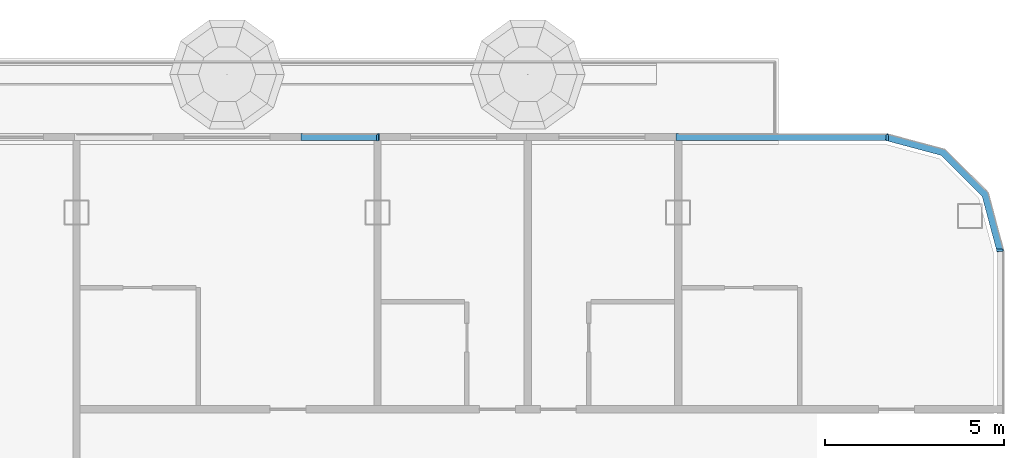
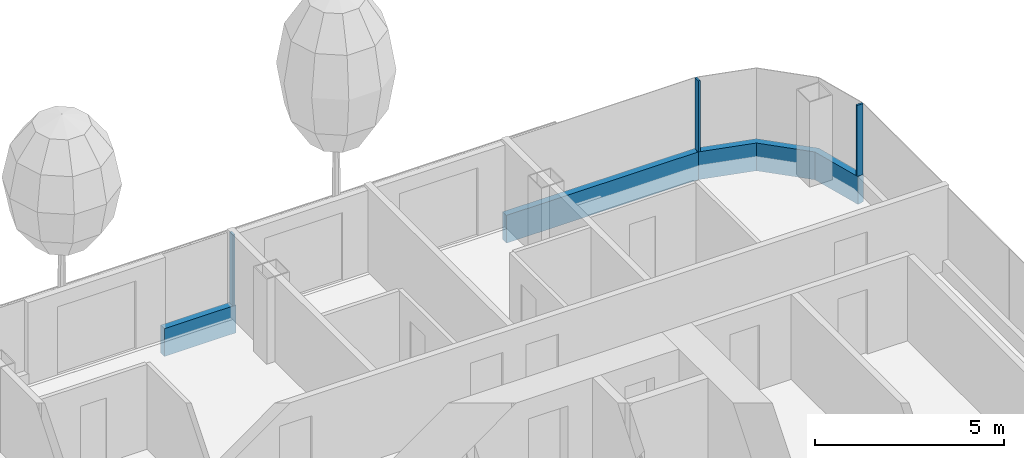
# One storey, part 8 of 30: 6 members, 3 elements without a shape of their own.
"""IFC4 building model written with IfcOpenShell, lengths in metres."""

import ifcopenshell
import ifcopenshell.guid

model = None  # the IFC model being written
_history = None  # IfcOwnerHistory: only IFC2X3 demands one
_inside = {}  # id of a spatial element -> (the spatial element, [elements in it])
_under = {}  # id of a project, library or spatial element -> (it, [spatial elements below it])
_declared = {}  # id of a project -> (the project, [libraries it declares])
_typed = {}  # id of a type object -> (the type object, [elements of that type])
_made_of = {}  # id of a material, layer set ... -> (it, [elements and type objects made of it])


def new_model(schema):
    """Start an empty IFC model of exactly this schema.

    Asked for "IFC4X3", IfcOpenShell would pick the latest addendum, in which some entities
    have other attributes; the version numbers below select the first issue.
    IFC2X3 requires an IfcOwnerHistory on every rooted entity: one is made here for all.
    """
    global model, _history
    if schema == "IFC4X3":
        model = ifcopenshell.file(schema_version=(4, 3, 0, 0))
    else:
        model = ifcopenshell.file(schema=schema)
    _inside.clear()
    _under.clear()
    _declared.clear()
    _typed.clear()
    _made_of.clear()
    _history = None
    if model.schema == "IFC2X3":
        org = make("IfcOrganization", Name="unknown")
        user = make(
            "IfcPersonAndOrganization",
            ThePerson=make("IfcPerson", FamilyName="unknown"),
            TheOrganization=org,
        )
        app = make(
            "IfcApplication",
            ApplicationDeveloper=org,
            Version="unknown",
            ApplicationFullName="unknown",
            ApplicationIdentifier="unknown",
        )
        _history = make(
            "IfcOwnerHistory",
            OwningUser=user,
            OwningApplication=app,
            ChangeAction="ADDED",
            CreationDate=0,
        )
    return model


def make(cls, **values):
    """One entity of the class cls with the attributes given. An attribute that is None is left unset."""
    return model.create_entity(
        cls, **{name: value for name, value in values.items() if value is not None}
    )


def rooted(cls, **values):
    """An entity with a GlobalId (a new one), such as an element, a storey or a relation."""
    return make(cls, GlobalId=ifcopenshell.guid.new(), OwnerHistory=_history, **values)


def si_unit(unit_type, name, prefix=None):
    """IfcSIUnit, for example si_unit("LENGTHUNIT", "METRE", prefix="MILLI")."""
    return make("IfcSIUnit", UnitType=unit_type, Prefix=prefix, Name=name)


def assignment(units):
    """IfcUnitAssignment: the units of a project."""
    return None if units is None else make("IfcUnitAssignment", Units=units)


def point(xyz):
    """IfcCartesianPoint."""
    return None if xyz is None else make("IfcCartesianPoint", Coordinates=xyz)


def direction(xyz):
    """IfcDirection."""
    return None if xyz is None else make("IfcDirection", DirectionRatios=xyz)


def frame(location, z_axis=None, x_axis=None):
    """IfcAxis2Placement3D, a coordinate frame: its origin and axes. An axis left out is left unset."""
    return make(
        "IfcAxis2Placement3D",
        Location=point(location),
        Axis=direction(z_axis),
        RefDirection=direction(x_axis),
    )


def frame_2d(location, x_axis=None):
    """IfcAxis2Placement2D, a coordinate frame in the plane: its origin and x axis."""
    return make(
        "IfcAxis2Placement2D", Location=point(location), RefDirection=direction(x_axis)
    )


def origin():
    """The frame at (0, 0, 0) with its axes left unset."""
    return frame((0.0, 0.0, 0.0))


def origin_2d():
    """The frame at (0, 0) in the plane with its x axis left unset."""
    return frame_2d((0.0, 0.0))


def place(relative_to, where):
    """IfcLocalPlacement: puts the frame where relative to a parent placement (None: the world)."""
    return make(
        "IfcLocalPlacement", PlacementRelTo=relative_to, RelativePlacement=where
    )


def context(
    kind, dimensions, precision=None, world=None, true_north=None, identifier=None
):
    """IfcGeometricRepresentationContext, for example the 3D "Model" context."""
    return make(
        "IfcGeometricRepresentationContext",
        ContextIdentifier=identifier,
        ContextType=kind,
        CoordinateSpaceDimension=dimensions,
        Precision=precision,
        WorldCoordinateSystem=world,
        TrueNorth=true_north,
    )


def subcontext(parent, identifier, kind, view, scale=None):
    """IfcGeometricRepresentationSubContext, for example "Body" below "Model"."""
    return make(
        "IfcGeometricRepresentationSubContext",
        ContextIdentifier=identifier,
        ContextType=kind,
        ParentContext=parent,
        TargetScale=scale,
        TargetView=view,
    )


def project(units=None, contexts=None):
    """IfcProject with its units and contexts."""
    return rooted(
        "IfcProject",
        Name="project",
        RepresentationContexts=contexts,
        UnitsInContext=assignment(units),
    )


def spatial(cls, under=None, at=None, **own):
    """A site, building, storey or space (cls), placed at a placement, below another one or the project."""
    s = rooted(cls, ObjectPlacement=at, **own)
    if under is not None:
        _under.setdefault(under.id(), (under, []))[1].append(s)
    return s


def polyline(points):
    """IfcPolyline through the points."""
    return make("IfcPolyline", Points=[point(p) for p in points])


def profile(cls, at=None, kind="AREA", **sizes):
    """A parametric profile (cls). Its sizes go by their IFC names, for example OverallWidth=200.0."""
    return make(cls, ProfileType=kind, Position=at, **sizes)


def rectangle(**sizes):
    """IfcRectangleProfileDef."""
    return profile("IfcRectangleProfileDef", **sizes)


def outline(outer, holes=None, kind="AREA"):
    """IfcArbitraryClosedProfileDef: a profile drawn as a closed curve; with holes, ...WithVoids."""
    if holes is None:
        return make("IfcArbitraryClosedProfileDef", ProfileType=kind, OuterCurve=outer)
    return make(
        "IfcArbitraryProfileDefWithVoids",
        ProfileType=kind,
        OuterCurve=outer,
        InnerCurves=holes,
    )


def extrude(swept, where, along, depth):
    """IfcExtrudedAreaSolid: the profile swept, set in the frame where, extruded along a direction by depth."""
    return make(
        "IfcExtrudedAreaSolid",
        SweptArea=swept,
        Position=where,
        ExtrudedDirection=direction(along),
        Depth=depth,
    )


def shape(context_of_items, identifier, shape_type, items):
    """IfcShapeRepresentation: the items that make up one representation, for example the "Body"."""
    return make(
        "IfcShapeRepresentation",
        ContextOfItems=context_of_items,
        RepresentationIdentifier=identifier,
        RepresentationType=shape_type,
        Items=items,
    )


def material(Name=None, Category=None):
    """IfcMaterial."""
    return make("IfcMaterial", Name=Name, Category=Category)


def layer(
    of_material, thickness, ventilated=None, Name=None, Category=None, Priority=None
):
    """IfcMaterialLayer: one layer of a wall or slab, of a material (None: an air gap)."""
    return make(
        "IfcMaterialLayer",
        Material=of_material,
        LayerThickness=thickness,
        IsVentilated=ventilated,
        Name=Name,
        Category=Category,
        Priority=Priority,
    )


def layer_set(layers, Name=None):
    """IfcMaterialLayerSet."""
    return make("IfcMaterialLayerSet", MaterialLayers=layers, LayerSetName=Name)


def material_profile(
    of_material, cross_section, Name=None, Category=None, Priority=None
):
    """IfcMaterialProfile: a cross section and its material."""
    return make(
        "IfcMaterialProfile",
        Name=Name,
        Material=of_material,
        Profile=cross_section,
        Priority=Priority,
        Category=Category,
    )


def profile_set(profiles, Name=None, composite=None):
    """IfcMaterialProfileSet."""
    return make(
        "IfcMaterialProfileSet",
        Name=Name,
        MaterialProfiles=profiles,
        CompositeProfile=composite,
    )


def made_of(thing, what):
    """Note that an element or type object is made of a material, layer set ...; save() writes the relation."""
    if what is not None:
        _made_of.setdefault(what.id(), (what, []))[1].append(thing)
    return thing


def type_object(cls, material=None, **own):
    """A type object (cls), such as IfcWallType, which elements share."""
    return made_of(rooted(cls, **own), material)


def element(
    cls,
    number,
    at=None,
    inside=None,
    cuts=None,
    type_object=None,
    material=None,
    context=None,
    identifier="Body",
    shape_type=None,
    held_by="IfcProductDefinitionShape",
    body=None,
    shapes=None,
    **own,
):
    """One element of the class cls, such as IfcWall. Its Tag is "e" and its number.

    at: its placement. inside: the storey or other place that contains it. cuts: it is an
    opening in that element (IfcRelVoidsElement). A single representation is given by context,
    identifier, shape_type and body (its items); several are given by shapes. held_by: the class
    of the entity that holds the representations. save() writes the other relations.
    """
    e = rooted(cls, Tag="e%d" % number, ObjectPlacement=at, **own)
    if body is not None:
        shapes = [shape(context, identifier, shape_type, body)]
    if shapes is not None:
        e.Representation = make(held_by, Representations=shapes)
    if inside is not None:
        _inside.setdefault(inside.id(), (inside, []))[1].append(e)
    if cuts is not None:
        rooted(
            "IfcRelVoidsElement", RelatingBuildingElement=cuts, RelatedOpeningElement=e
        )
    if type_object is not None:
        _typed.setdefault(type_object.id(), (type_object, []))[1].append(e)
    return made_of(e, material)


def aggregate(whole, parts):
    """IfcRelAggregates: a whole, such as a stair, and the parts it consists of."""
    return rooted("IfcRelAggregates", RelatingObject=whole, RelatedObjects=parts)


def save(model, path):
    """Write the relations noted so far, then the file.

    IfcRelAggregates (storeys below a building ...), IfcRelContainedInSpatialStructure (elements
    in a storey), IfcRelDefinesByType, IfcRelAssociatesMaterial and IfcRelDeclares: one each for
    every whole, place, type object, material and project.
    """
    for whole, parts in _under.values():
        aggregate(whole, parts)
    for where, things in _inside.values():
        rooted(
            "IfcRelContainedInSpatialStructure",
            RelatedElements=things,
            RelatingStructure=where,
        )
    for kind, things in _typed.values():
        rooted("IfcRelDefinesByType", RelatedObjects=things, RelatingType=kind)
    for what, things in _made_of.values():
        rooted("IfcRelAssociatesMaterial", RelatedObjects=things, RelatingMaterial=what)
    for by, libraries in _declared.values():
        rooted("IfcRelDeclares", RelatingContext=by, RelatedDefinitions=libraries)
    model.write(path)


model = new_model("IFC4")

# Units and contexts
model_context = context("Model", 3, precision=1e-05, world=origin(), true_north=direction((0.0, 1.0)))
body_context = subcontext(model_context, "Body", "Model", "MODEL_VIEW")
ifc_project = project(units=[si_unit("LENGTHUNIT", "METRE"), si_unit("AREAUNIT", "SQUARE_METRE"), si_unit("VOLUMEUNIT", "CUBIC_METRE"), si_unit("PLANEANGLEUNIT", "RADIAN"), si_unit("MASSUNIT", "GRAM", prefix="KILO")], contexts=[model_context])

# Site, building, storey
site_placement = place(None, origin())
site = spatial("IfcSite", under=ifc_project, at=site_placement, CompositionType="ELEMENT")
building_placement = place(site_placement, origin())
building = spatial("IfcBuilding", under=site, at=building_placement, Name="Hakoniwa Tower and Hamabe Station Hall", CompositionType="ELEMENT")
storey_placement = place(building_placement, frame((0.0, 0.0, 137.39990234375)))
storey = spatial("IfcBuildingStorey", under=building, at=storey_placement, Name="L38", CompositionType="ELEMENT", Elevation=137.39990234375)

# Curtain wall, member
ifc_material_1 = material(Name="Dark low-e laminated glass", Category="glass")
ifc_layer = layer(ifc_material_1, 0.199951171875)
ifc_layer_set = layer_set([ifc_layer], Name="CW-1 UNITISED GUEST")
curtain_wall_type = type_object("IfcCurtainWallType", Name="CW-1 UNITISED GUEST", PredefinedType="NOTDEFINED", material=ifc_layer_set)
curtain_wall_1_placement = place(storey_placement, origin())
curtain_wall_1 = element("IfcCurtainWall", 1, at=curtain_wall_1_placement, inside=storey, type_object=curtain_wall_type, Name="CW-1 curtain wall", PredefinedType="NOTDEFINED")
ifc_material_2 = material(Name="Aluminium 6063-T5 black anodised", Category="aluminium")
ifc_material_profile_1 = material_profile(ifc_material_2, rectangle(XDim=0.199951171875, YDim=0.89990234375, at=origin_2d()), Name="CW SLAB-EDGE BAND 900X200")
ifc_profile_set_1 = profile_set([ifc_material_profile_1], Name="Aluminium 6063-T5 black anodised")
member_type_1 = type_object("IfcMemberType", Name="CW SLAB-EDGE BAND 900X200", PredefinedType="USERDEFINED", material=ifc_profile_set_1)
member_1_placement = place(storey_placement, frame((0.0, 0.0, -0.5498046875)))
member_1 = element("IfcMember", 2, at=member_1_placement, type_object=member_type_1, Name="CW-1 transom", ObjectType="TRANSOM", PredefinedType="USERDEFINED", context=body_context, shape_type="SweptSolid", body=[
    extrude(outline(polyline([(42.699951171875, 15.03955078125), (42.26708984375, 16.6552734375), (41.05517578125, 17.866943359375), (39.439453125, 18.300048828125), (39.3876953125, 18.10693359375), (40.95166015625, 17.687744140625), (42.087646484375, 16.5517578125), (42.5068359375, 14.98779296875), (42.699951171875, 15.03955078125)])), origin(), (0.0, 0.0, 1.0), 0.89990234375),
])
aggregate(curtain_wall_1, [member_1])

# Curtain wall, members
curtain_wall_2_placement = place(storey_placement, origin())
curtain_wall_2 = element("IfcCurtainWall", 3, at=curtain_wall_2_placement, inside=storey, type_object=curtain_wall_type, Name="CW-1 curtain wall", PredefinedType="NOTDEFINED")
member_2_placement = place(storey_placement, frame((39.439453125, 18.199951171875, -0.099853515625), z_axis=(-1.0, 0.0, 0.0), x_axis=(0.0, -1.0, 0.0)))
member_2 = element("IfcMember", 4, at=member_2_placement, type_object=member_type_1, Name="CW-1 transom", ObjectType="TRANSOM", PredefinedType="USERDEFINED", context=body_context, shape_type="SweptSolid", body=[
    extrude(rectangle(XDim=0.199951171875, YDim=0.89990234375, at=origin_2d()), origin(), (0.0, 0.0, 1.0), 5.8994140625),
])
member_3_placement = place(storey_placement, frame((25.260009765625, 18.199951171875, -0.099853515625), z_axis=(-1.0, 0.0, 0.0), x_axis=(0.0, -1.0, 0.0)))
member_3 = element("IfcMember", 5, at=member_3_placement, type_object=member_type_1, Name="CW-1 transom", ObjectType="TRANSOM", PredefinedType="USERDEFINED", context=body_context, shape_type="SweptSolid", body=[
    extrude(rectangle(XDim=0.199951171875, YDim=0.89990234375, at=origin_2d()), origin(), (0.0, 0.0, 1.0), 2.18994140625),
])

# Curtain wall, member
curtain_wall_3_placement = place(storey_placement, origin())
curtain_wall_3 = element("IfcCurtainWall", 6, at=curtain_wall_3_placement, inside=storey, type_object=curtain_wall_type, Name="CW-1 curtain wall", PredefinedType="NOTDEFINED")
ifc_material_3 = material(Name="Aluminium 6063-T5 black anodised", Category="aluminium")
ifc_material_profile_2 = material_profile(ifc_material_3, rectangle(XDim=0.06005859375, YDim=0.179931640625, at=origin_2d()), Name="CW-1 MULLION 60X180")
ifc_profile_set_2 = profile_set([ifc_material_profile_2], Name="Aluminium 6063-T5 black anodised")
member_type_2 = type_object("IfcMemberType", Name="CW-1 MULLION 60X180", PredefinedType="MULLION", material=ifc_profile_set_2)
member_4_placement = place(storey_placement, frame((42.58203125, 15.03955078125, 0.35009765625), z_axis=(0.0, 0.0, 1.0), x_axis=(0.0, 1.0, 0.0)))
member_4 = element("IfcMember", 7, at=member_4_placement, type_object=member_type_2, Name="CW-1 mullion", PredefinedType="MULLION", context=body_context, shape_type="SweptSolid", body=[
    extrude(rectangle(XDim=0.06005859375, YDim=0.179931640625, at=origin_2d()), origin(), (0.0, 0.0, 1.0), 2.300048828125),
])
aggregate(curtain_wall_3, [member_4])

# Member
member_5_placement = place(storey_placement, frame((39.439453125, 18.181884765625, 0.35009765625), z_axis=(0.0, 0.0, 1.0), x_axis=(-1.0, 0.0, 0.0)))
member_5 = element("IfcMember", 8, at=member_5_placement, type_object=member_type_2, Name="CW-1 mullion", PredefinedType="MULLION", context=body_context, shape_type="SweptSolid", body=[
    extrude(rectangle(XDim=0.06005859375, YDim=0.179931640625, at=origin_2d()), origin(), (0.0, 0.0, 1.0), 2.300048828125),
])

member_6_placement = place(storey_placement, frame((25.199951171875, 18.181884765625, 0.35009765625), z_axis=(0.0, 0.0, 1.0), x_axis=(-1.0, 0.0, 0.0)))
member_6 = element("IfcMember", 9, at=member_6_placement, type_object=member_type_2, Name="CW-1 mullion", PredefinedType="MULLION", context=body_context, shape_type="SweptSolid", body=[
    extrude(rectangle(XDim=0.06005859375, YDim=0.179931640625, at=origin_2d()), origin(), (0.0, 0.0, 1.0), 2.300048828125),
])

aggregate(curtain_wall_2, [member_5, member_6, member_2, member_3])

save(model, "model.ifc")
